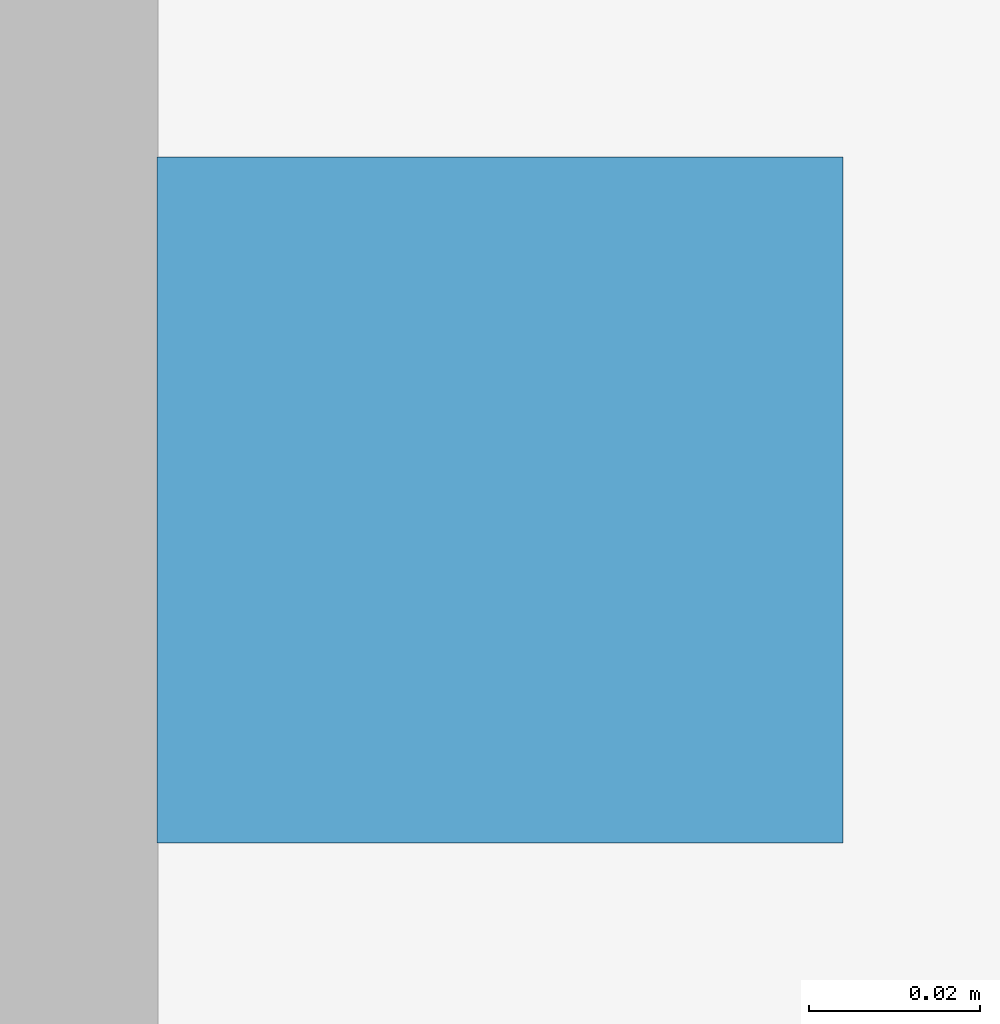
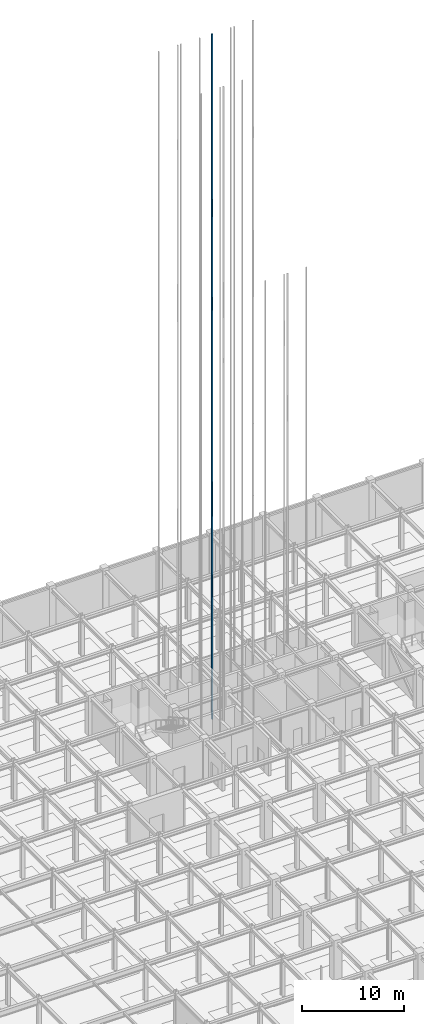
# One storey, part 60 of 69: 1 discrete accessory.
"""IFC4 building model written with IfcOpenShell, lengths in metres."""

from ifc_helpers import new_model, si_unit, direction, frame, origin, origin_2d, place, context, subcontext, project, spatial, rectangle, extrude, material, type_object, element, save


model = new_model("IFC4")

# Units and contexts
model_context = context("Model", 3, precision=1e-05, world=origin(), true_north=direction((0.0, 1.0)))
body_context = subcontext(model_context, "Body", "Model", "MODEL_VIEW")
ifc_project = project(units=[si_unit("LENGTHUNIT", "METRE"), si_unit("AREAUNIT", "SQUARE_METRE"), si_unit("VOLUMEUNIT", "CUBIC_METRE"), si_unit("PLANEANGLEUNIT", "RADIAN"), si_unit("MASSUNIT", "GRAM", prefix="KILO")], contexts=[model_context])

# Site, building, storey
site_placement = place(None, origin())
site = spatial("IfcSite", under=ifc_project, at=site_placement, CompositionType="ELEMENT")
building_placement = place(site_placement, origin())
building = spatial("IfcBuilding", under=site, at=building_placement, Name="Zlatovratsky Civic Hall", CompositionType="ELEMENT")
storey_placement = place(building_placement, frame((0.0, 0.0, -4.800048828125)))
storey = spatial("IfcBuildingStorey", under=building, at=storey_placement, Name="B1", CompositionType="ELEMENT", Elevation=-4.800048828125)

# Discrete accessory
ifc_material = material(Name="Steel S355", Category="steel")
discrete_accessory_type = type_object("IfcDiscreteAccessoryType", Name="Lift_GuideRail", PredefinedType="USERDEFINED", material=ifc_material)
discrete_accessory_placement = place(storey_placement, frame((78.68994140625, 94.14990234375, -1.60009765625), z_axis=(0.0, 0.0, 1.0), x_axis=(1.0, 0.0, 0.0)))
element("IfcDiscreteAccessory", 1, at=discrete_accessory_placement, inside=storey, type_object=discrete_accessory_type, Name="Lift Guide Rail LP-03 L", ObjectType="GUIDE RAIL", PredefinedType="USERDEFINED", context=body_context, shape_type="SweptSolid", body=[
    extrude(rectangle(XDim=0.080078125, YDim=0.080078125, at=origin_2d()), origin(), (0.0, 0.0, 1.0), 81.60009765625),
])

save(model, "model.ifc")
